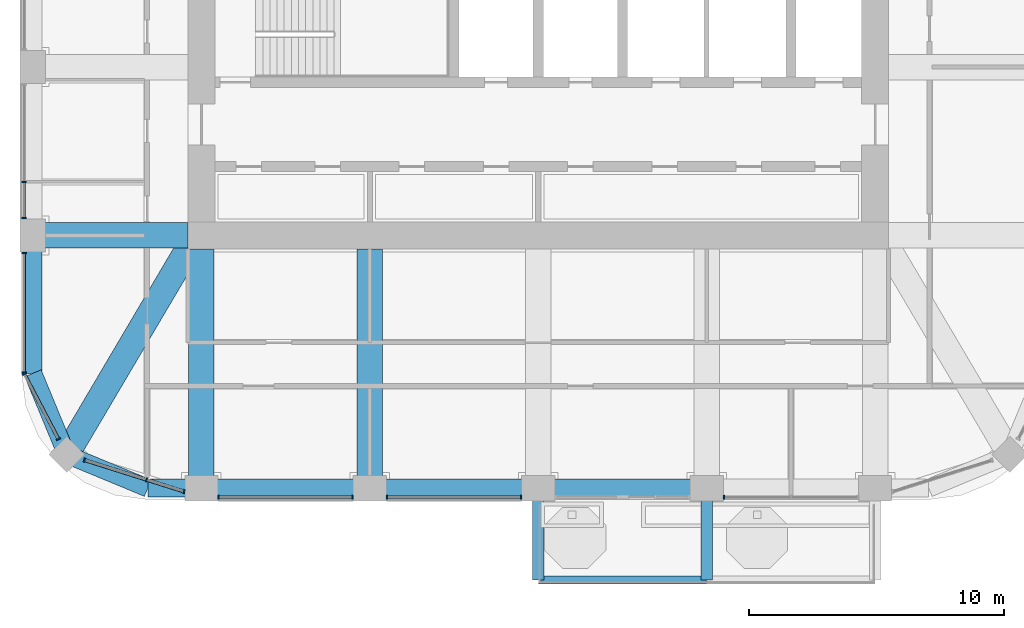
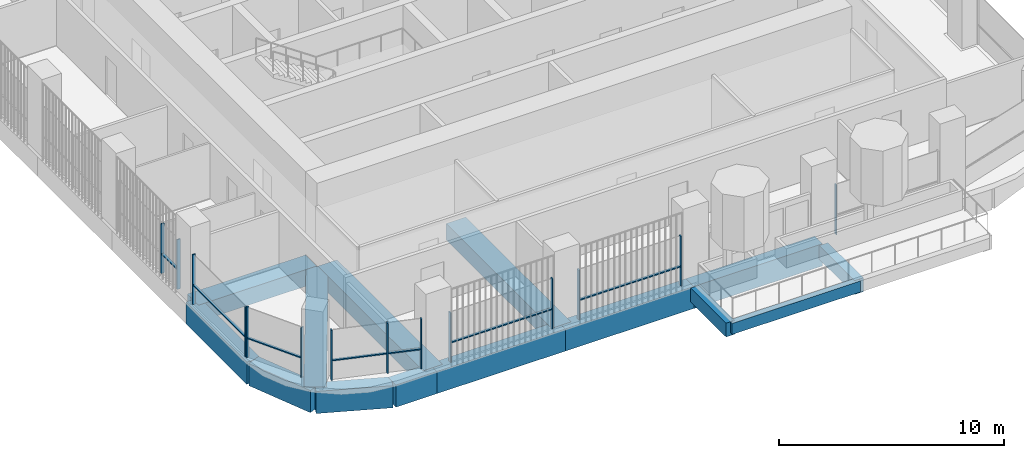
# One storey, part 2 of 21: 21 members, 14 beams, 7 elements without a shape of their own.
"""IFC4 building model written with IfcOpenShell, lengths in metres."""

from ifc_helpers import new_model, si_unit, direction, frame, origin, origin_2d, place, context, subcontext, project, spatial, rectangle, extrude, material, material_profile, profile_set, type_object, element, aggregate, save


model = new_model("IFC4")

# Units and contexts
model_context = context("Model", 3, precision=1e-05, world=origin(), true_north=direction((0.0, 1.0)))
body_context = subcontext(model_context, "Body", "Model", "MODEL_VIEW")
ifc_project = project(units=[si_unit("LENGTHUNIT", "METRE"), si_unit("AREAUNIT", "SQUARE_METRE"), si_unit("VOLUMEUNIT", "CUBIC_METRE"), si_unit("PLANEANGLEUNIT", "RADIAN"), si_unit("MASSUNIT", "GRAM", prefix="KILO")], contexts=[model_context])

# Site, building, storey
site_placement = place(None, origin())
site = spatial("IfcSite", under=ifc_project, at=site_placement, CompositionType="ELEMENT")
building_placement = place(site_placement, origin())
building = spatial("IfcBuilding", under=site, at=building_placement, Name="Cobogo Forest Laboratory Tower", CompositionType="ELEMENT")
storey_placement = place(building_placement, frame((0.0, 0.0, 241.800048828125)))
storey = spatial("IfcBuildingStorey", under=building, at=storey_placement, Name="L55", CompositionType="ELEMENT", Elevation=241.800048828125)

# Beams
ifc_material_1 = material(Name="Concrete HA-40 (C40/50)", Category="concrete")
ifc_material_profile_1 = material_profile(ifc_material_1, rectangle(XDim=0.449951171875, YDim=0.75, at=origin_2d()), Name="RC 450x750")
ifc_profile_set_1 = profile_set([ifc_material_profile_1], Name="Concrete HA-40 (C40/50)")
beam_type_1 = type_object("IfcBeamType", Name="Balcony cantilever beam 450x750", PredefinedType="BEAM", material=ifc_profile_set_1)
for number, where, z_axis, x_axis, name in (
    (1, (26.39990234375, 2.85009765625, -0.625), (0.0, -1.0, 0.0), (1.0, 0.0, 0.0), "CB1 BAL-S1-C1 L55"),
    (2, (33.0, 2.85009765625, -0.625), (0.0, -1.0, 0.0), (1.0, 0.0, 0.0), "CB1 BAL-S1-C2 L55"),
):
    element("IfcBeam", number, at=place(storey_placement, frame(where, z_axis=z_axis, x_axis=x_axis)), inside=storey, type_object=beam_type_1, Name=name, PredefinedType="BEAM", context=body_context, shape_type="SweptSolid", body=[
        extrude(rectangle(XDim=0.449951171875, YDim=0.75, at=origin_2d()), origin(), (0.0, 0.0, 1.0), 3.150146484375),
    ])
ifc_material_profile_2 = material_profile(ifc_material_1, rectangle(XDim=0.300048828125, YDim=0.60009765625, at=origin_2d()), Name="RC 300x600")
ifc_profile_set_2 = profile_set([ifc_material_profile_2], Name="Concrete HA-40 (C40/50)")
beam_type_2 = type_object("IfcBeamType", Name="Balcony edge beam 300x600", PredefinedType="BEAM", material=ifc_profile_set_2)
beam_1_placement = place(storey_placement, frame((26.39990234375, -0.300048828125, -0.550048828125), z_axis=(1.0, 0.0, 0.0), x_axis=(0.0, 1.0, 0.0)))
element("IfcBeam", 3, at=beam_1_placement, inside=storey, type_object=beam_type_2, Name="BB1 BAL-S1-T1 L55", PredefinedType="BEAM", context=body_context, shape_type="SweptSolid", body=[
    extrude(rectangle(XDim=0.300048828125, YDim=0.60009765625, at=origin_2d()), origin(), (0.0, 0.0, 1.0), 6.60009765625),
])

# Curtain wall, members
ifc_material_2 = material(Name="Aluminium curtain wall", Category="aluminium")
curtain_wall_type = type_object("IfcCurtainWallType", Name="CW-2 unitised curtain wall, solar control glazing, laboratory floors zones C and D", PredefinedType="USERDEFINED", material=ifc_material_2)
curtain_wall_1_placement = place(storey_placement, origin())
curtain_wall_1 = element("IfcCurtainWall", 4, at=curtain_wall_1_placement, inside=storey, type_object=curtain_wall_type, Name="Curtain wall 01 L55", ObjectType="UNITISED CURTAIN WALL", PredefinedType="USERDEFINED")
ifc_material_3 = material(Name="Aluminium mullion", Category="aluminium")
ifc_material_profile_3 = material_profile(ifc_material_3, rectangle(XDim=0.06005859375, YDim=0.159912109375, at=origin_2d()), Name="AL 60x160")
ifc_profile_set_3 = profile_set([ifc_material_profile_3], Name="Aluminium mullion")
member_type_1 = type_object("IfcMemberType", Name="MU-1 aluminium mullion 60x160", PredefinedType="MULLION", material=ifc_profile_set_3)
member_1_placement = place(storey_placement, frame((13.8798828125, 2.949951171875, 0.0), z_axis=(0.0, 0.0, 1.0), x_axis=(1.0, 0.0, 0.0)))
member_1 = element("IfcMember", 5, at=member_1_placement, type_object=member_type_1, Name="CW-2 mullion 1", PredefinedType="MULLION", context=body_context, shape_type="SweptSolid", body=[
    extrude(rectangle(XDim=0.06005859375, YDim=0.159912109375, at=origin_2d()), origin(), (0.0, 0.0, 1.0), 2.699951171875),
])
member_2_placement = place(storey_placement, frame((19.1201171875, 2.949951171875, 0.0), z_axis=(0.0, 0.0, 1.0), x_axis=(1.0, 0.0, 0.0)))
member_2 = element("IfcMember", 6, at=member_2_placement, type_object=member_type_1, Name="CW-2 mullion 2", PredefinedType="MULLION", context=body_context, shape_type="SweptSolid", body=[
    extrude(rectangle(XDim=0.06005859375, YDim=0.159912109375, at=origin_2d()), origin(), (0.0, 0.0, 1.0), 2.699951171875),
])

curtain_wall_2_placement = place(storey_placement, origin())
curtain_wall_2 = element("IfcCurtainWall", 7, at=curtain_wall_2_placement, inside=storey, type_object=curtain_wall_type, Name="Curtain wall 02 L55", ObjectType="UNITISED CURTAIN WALL", PredefinedType="USERDEFINED")
member_3_placement = place(storey_placement, frame((20.47998046875, 2.949951171875, 0.0), z_axis=(0.0, 0.0, 1.0), x_axis=(1.0, 0.0, 0.0)))
member_3 = element("IfcMember", 8, at=member_3_placement, type_object=member_type_1, Name="CW-2 mullion 1", PredefinedType="MULLION", context=body_context, shape_type="SweptSolid", body=[
    extrude(rectangle(XDim=0.06005859375, YDim=0.159912109375, at=origin_2d()), origin(), (0.0, 0.0, 1.0), 2.699951171875),
])
member_4_placement = place(storey_placement, frame((25.719970703125, 2.949951171875, 0.0), z_axis=(0.0, 0.0, 1.0), x_axis=(1.0, 0.0, 0.0)))
member_4 = element("IfcMember", 9, at=member_4_placement, type_object=member_type_1, Name="CW-2 mullion 2", PredefinedType="MULLION", context=body_context, shape_type="SweptSolid", body=[
    extrude(rectangle(XDim=0.06005859375, YDim=0.159912109375, at=origin_2d()), origin(), (0.0, 0.0, 1.0), 2.699951171875),
])

# Curtain wall, member
curtain_wall_3_placement = place(storey_placement, origin())
curtain_wall_3 = element("IfcCurtainWall", 10, at=curtain_wall_3_placement, inside=storey, type_object=curtain_wall_type, Name="Curtain wall 04 L55", ObjectType="UNITISED CURTAIN WALL", PredefinedType="USERDEFINED")
member_5_placement = place(storey_placement, frame((33.679931640625, 2.949951171875, 0.0), z_axis=(0.0, 0.0, 1.0), x_axis=(1.0, 0.0, 0.0)))
member_5 = element("IfcMember", 11, at=member_5_placement, type_object=member_type_1, Name="CW-2 mullion 1", PredefinedType="MULLION", context=body_context, shape_type="SweptSolid", body=[
    extrude(rectangle(XDim=0.06005859375, YDim=0.159912109375, at=origin_2d()), origin(), (0.0, 0.0, 1.0), 2.699951171875),
])
aggregate(curtain_wall_3, [member_5])

# Curtain wall, members
curtain_wall_4_placement = place(storey_placement, origin())
curtain_wall_4 = element("IfcCurtainWall", 12, at=curtain_wall_4_placement, inside=storey, type_object=curtain_wall_type, Name="Curtain wall 23 L55", ObjectType="UNITISED CURTAIN WALL", PredefinedType="USERDEFINED")
member_6_placement = place(storey_placement, frame((6.25, 15.300048828125, 0.0), z_axis=(0.0, 0.0, 1.0), x_axis=(0.0, -1.0, 0.0)))
member_6 = element("IfcMember", 13, at=member_6_placement, type_object=member_type_1, Name="CW-2 mullion 2", PredefinedType="MULLION", context=body_context, shape_type="SweptSolid", body=[
    extrude(rectangle(XDim=0.06005859375, YDim=0.159912109375, at=origin_2d()), origin(), (0.0, 0.0, 1.0), 2.699951171875),
])
member_7_placement = place(storey_placement, frame((6.25, 13.8798828125, 0.0), z_axis=(0.0, 0.0, 1.0), x_axis=(0.0, -1.0, 0.0)))
member_7 = element("IfcMember", 14, at=member_7_placement, type_object=member_type_1, Name="CW-2 mullion 3", PredefinedType="MULLION", context=body_context, shape_type="SweptSolid", body=[
    extrude(rectangle(XDim=0.06005859375, YDim=0.159912109375, at=origin_2d()), origin(), (0.0, 0.0, 1.0), 2.699951171875),
])

curtain_wall_5_placement = place(storey_placement, origin())
curtain_wall_5 = element("IfcCurtainWall", 15, at=curtain_wall_5_placement, inside=storey, type_object=curtain_wall_type, Name="Curtain wall 24 L55", ObjectType="UNITISED CURTAIN WALL", PredefinedType="USERDEFINED")
member_8_placement = place(storey_placement, frame((6.25, 12.52001953125, 0.0), z_axis=(0.0, 0.0, 1.0), x_axis=(0.0, -1.0, 0.0)))
member_8 = element("IfcMember", 16, at=member_8_placement, type_object=member_type_1, Name="CW-2 mullion 1", PredefinedType="MULLION", context=body_context, shape_type="SweptSolid", body=[
    extrude(rectangle(XDim=0.06005859375, YDim=0.159912109375, at=origin_2d()), origin(), (0.0, 0.0, 1.0), 2.699951171875),
])
member_9_placement = place(storey_placement, frame((6.25, 7.830078125, 0.0), z_axis=(0.0, 0.0, 1.0), x_axis=(0.0, -1.0, 0.0)))
member_9 = element("IfcMember", 17, at=member_9_placement, type_object=member_type_1, Name="CW-2 mullion 2", PredefinedType="MULLION", context=body_context, shape_type="SweptSolid", body=[
    extrude(rectangle(XDim=0.06005859375, YDim=0.159912109375, at=origin_2d()), origin(), (0.0, 0.0, 1.0), 2.699951171875),
])

curtain_wall_6_placement = place(storey_placement, origin())
curtain_wall_6 = element("IfcCurtainWall", 18, at=curtain_wall_6_placement, inside=storey, type_object=curtain_wall_type, Name="Curtain wall 25 L55", ObjectType="UNITISED CURTAIN WALL", PredefinedType="USERDEFINED")
member_10_placement = place(storey_placement, frame((6.263916015625, 7.7734375, 0.0), z_axis=(0.0, 0.0, 1.0), x_axis=(0.464283791352, -0.885686491422, 0.0)))
member_10 = element("IfcMember", 19, at=member_10_placement, type_object=member_type_1, Name="CW-2 mullion 1", PredefinedType="MULLION", context=body_context, shape_type="SweptSolid", body=[
    extrude(rectangle(XDim=0.06005859375, YDim=0.159912109375, at=origin_2d()), origin(), (0.0, 0.0, 1.0), 2.699951171875),
])
member_11_placement = place(storey_placement, frame((7.59765625, 5.229248046875, 0.0), z_axis=(0.0, 0.0, 1.0), x_axis=(0.464283791352, -0.885686491422, 0.0)))
member_11 = element("IfcMember", 20, at=member_11_placement, type_object=member_type_1, Name="CW-2 mullion 2", PredefinedType="MULLION", context=body_context, shape_type="SweptSolid", body=[
    extrude(rectangle(XDim=0.06005859375, YDim=0.159912109375, at=origin_2d()), origin(), (0.0, 0.0, 1.0), 2.699951171875),
])

curtain_wall_7_placement = place(storey_placement, origin())
curtain_wall_7 = element("IfcCurtainWall", 21, at=curtain_wall_7_placement, inside=storey, type_object=curtain_wall_type, Name="Curtain wall 26 L55", ObjectType="UNITISED CURTAIN WALL", PredefinedType="USERDEFINED")
member_12_placement = place(storey_placement, frame((8.623779296875, 4.395263671875, 0.0), z_axis=(0.0, 0.0, 1.0), x_axis=(0.953581386052, -0.301135418334, 0.0)))
member_12 = element("IfcMember", 22, at=member_12_placement, type_object=member_type_1, Name="CW-2 mullion 1", PredefinedType="MULLION", context=body_context, shape_type="SweptSolid", body=[
    extrude(rectangle(XDim=0.06005859375, YDim=0.159912109375, at=origin_2d()), origin(), (0.0, 0.0, 1.0), 2.699951171875),
])
member_13_placement = place(storey_placement, frame((11.051025390625, 3.628662109375, 0.0), z_axis=(0.0, 0.0, 1.0), x_axis=(0.953581386052, -0.301135418334, 0.0)))
member_13 = element("IfcMember", 23, at=member_13_placement, type_object=member_type_1, Name="CW-2 mullion 2", PredefinedType="MULLION", context=body_context, shape_type="SweptSolid", body=[
    extrude(rectangle(XDim=0.06005859375, YDim=0.159912109375, at=origin_2d()), origin(), (0.0, 0.0, 1.0), 2.699951171875),
])
member_14_placement = place(storey_placement, frame((12.521484375, 3.164306640625, 0.0), z_axis=(0.0, 0.0, 1.0), x_axis=(0.953581386052, -0.301135418334, 0.0)))
member_14 = element("IfcMember", 24, at=member_14_placement, type_object=member_type_1, Name="CW-2 mullion 3", PredefinedType="MULLION", context=body_context, shape_type="SweptSolid", body=[
    extrude(rectangle(XDim=0.06005859375, YDim=0.159912109375, at=origin_2d()), origin(), (0.0, 0.0, 1.0), 2.699951171875),
])

# Beams
ifc_material_profile_4 = material_profile(ifc_material_1, rectangle(XDim=1.0, YDim=0.89990234375, at=origin_2d()), Name="RC 1000x900")
ifc_profile_set_4 = profile_set([ifc_material_profile_4], Name="Concrete HA-40 (C40/50)")
beam_type_3 = type_object("IfcBeamType", Name="Office floor wide beam 1000x900", PredefinedType="BEAM", material=ifc_profile_set_4)
for number, where, z_axis, x_axis, name in (
    (25, (13.199951171875, 12.675048828125, -0.75), (0.0, -1.0, 0.0), (1.0, 0.0, 0.0), "RB2 R-3-S L55"),
    (26, (19.800048828125, 12.675048828125, -0.75), (0.0, -1.0, 0.0), (1.0, 0.0, 0.0), "RB2 R-4-S L55"),
):
    element("IfcBeam", number, at=place(storey_placement, frame(where, z_axis=z_axis, x_axis=x_axis)), inside=storey, type_object=beam_type_3, Name=name, PredefinedType="BEAM", context=body_context, shape_type="SweptSolid", body=[
        extrude(rectangle(XDim=1.0, YDim=0.89990234375, at=origin_2d()), origin(), (0.0, 0.0, 1.0), 9.375),
    ])
beam_2_placement = place(storey_placement, frame((12.675048828125, 13.199951171875, -0.75), z_axis=(-1.0, 0.0, 0.0), x_axis=(0.0, -1.0, 0.0)))
element("IfcBeam", 27, at=beam_2_placement, inside=storey, type_object=beam_type_3, Name="RB2 R-C-W L55", PredefinedType="BEAM", context=body_context, shape_type="SweptSolid", body=[
    extrude(rectangle(XDim=1.0, YDim=0.89990234375, at=origin_2d()), origin(), (0.0, 0.0, 1.0), 6.074951171875),
])
beam_3_placement = place(storey_placement, frame((7.91796875, 4.617919921875, -0.75), z_axis=(0.508416325908, 0.861111397875, 0.0), x_axis=(-0.861111397875, 0.508416325908, 0.0)))
element("IfcBeam", 28, at=beam_3_placement, inside=storey, type_object=beam_type_3, Name="RB2 G-SW-D1 L55", PredefinedType="BEAM", context=body_context, shape_type="SweptSolid", body=[
    extrude(rectangle(XDim=1.0, YDim=0.89990234375, at=origin_2d()), origin(), (0.0, 0.0, 1.0), 9.356689453125),
])
ifc_material_profile_5 = material_profile(ifc_material_1, rectangle(XDim=0.699951171875, YDim=1.199951171875, at=origin_2d()), Name="RC 700x1200")
ifc_profile_set_5 = profile_set([ifc_material_profile_5], Name="Concrete HA-40 (C40/50)")
beam_type_4 = type_object("IfcBeamType", Name="Perimeter edge beam 700x1200", PredefinedType="BEAM", material=ifc_profile_set_5)
beam_4_placement = place(storey_placement, frame((13.199951171875, 3.300048828125, -0.900146484375), z_axis=(1.0, 0.0, 0.0), x_axis=(0.0, 1.0, 0.0)))
element("IfcBeam", 29, at=beam_4_placement, inside=storey, type_object=beam_type_4, Name="EB1 E-S1 L55", PredefinedType="BEAM", context=body_context, shape_type="SweptSolid", body=[
    extrude(rectangle(XDim=0.699951171875, YDim=1.199951171875, at=origin_2d()), origin(), (0.0, 0.0, 1.0), 6.60009765625),
])
beam_5_placement = place(storey_placement, frame((19.800048828125, 3.300048828125, -0.900146484375), z_axis=(1.0, 0.0, 0.0), x_axis=(0.0, 1.0, 0.0)))
element("IfcBeam", 30, at=beam_5_placement, inside=storey, type_object=beam_type_4, Name="EB1 E-S2 L55", PredefinedType="BEAM", context=body_context, shape_type="SweptSolid", body=[
    extrude(rectangle(XDim=0.699951171875, YDim=1.199951171875, at=origin_2d()), origin(), (0.0, 0.0, 1.0), 6.599853515625),
])
beam_6_placement = place(storey_placement, frame((26.39990234375, 3.300048828125, -0.900146484375), z_axis=(1.0, 0.0, 0.0), x_axis=(0.0, 1.0, 0.0)))
element("IfcBeam", 31, at=beam_6_placement, inside=storey, type_object=beam_type_4, Name="EB1 E-S3 L55", PredefinedType="BEAM", context=body_context, shape_type="SweptSolid", body=[
    extrude(rectangle(XDim=0.699951171875, YDim=1.199951171875, at=origin_2d()), origin(), (0.0, 0.0, 1.0), 6.60009765625),
])
beam_7_placement = place(storey_placement, frame((13.199951171875, 3.300048828125, -0.900146484375), z_axis=(-1.0, 0.0, 0.0), x_axis=(0.0, -1.0, 0.0)))
element("IfcBeam", 32, at=beam_7_placement, inside=storey, type_object=beam_type_4, Name="EB1 E-SWS1 L55", PredefinedType="BEAM", context=body_context, shape_type="SweptSolid", body=[
    extrude(rectangle(XDim=0.699951171875, YDim=1.199951171875, at=origin_2d()), origin(), (0.0, 0.0, 1.0), 2.099853515625),
])
beam_8_placement = place(storey_placement, frame((11.10009765625, 3.300048828125, -0.900146484375), z_axis=(-0.923901072997, 0.382631424892, 0.0), x_axis=(-0.382631424892, -0.923901072997, 0.0)))
element("IfcBeam", 33, at=beam_8_placement, inside=storey, type_object=beam_type_4, Name="EB1 E-SWS2 L55", PredefinedType="BEAM", context=body_context, shape_type="SweptSolid", body=[
    extrude(rectangle(XDim=0.699951171875, YDim=1.199951171875, at=origin_2d()), origin(), (0.0, 0.0, 1.0), 3.4443359375),
])
beam_9_placement = place(storey_placement, frame((6.60009765625, 13.199951171875, -0.900146484375), z_axis=(0.0, -1.0, 0.0), x_axis=(1.0, 0.0, 0.0)))
element("IfcBeam", 34, at=beam_9_placement, inside=storey, type_object=beam_type_4, Name="EB1 E-SWW1 L55", PredefinedType="BEAM", context=body_context, shape_type="SweptSolid", body=[
    extrude(rectangle(XDim=0.699951171875, YDim=1.199951171875, at=origin_2d()), origin(), (0.0, 0.0, 1.0), 5.39990234375),
])
beam_10_placement = place(storey_placement, frame((6.60009765625, 7.800048828125, -0.900146484375), z_axis=(0.382631424892, -0.923901072997, 0.0), x_axis=(0.923901072997, 0.382631424892, 0.0)))
element("IfcBeam", 35, at=beam_10_placement, inside=storey, type_object=beam_type_4, Name="EB1 E-SWW2 L55", PredefinedType="BEAM", context=body_context, shape_type="SweptSolid", body=[
    extrude(rectangle(XDim=0.699951171875, YDim=1.199951171875, at=origin_2d()), origin(), (0.0, 0.0, 1.0), 3.4443359375),
])

# Member
ifc_material_4 = material(Name="Aluminium transom", Category="aluminium")
ifc_material_profile_6 = material_profile(ifc_material_4, rectangle(XDim=0.1201171875, YDim=0.06005859375, at=origin_2d()), Name="AL 60x120")
ifc_profile_set_6 = profile_set([ifc_material_profile_6], Name="Aluminium transom")
member_type_2 = type_object("IfcMemberType", Name="TR-1 aluminium transom 60x120", PredefinedType="USERDEFINED", material=ifc_profile_set_6)
member_15_placement = place(storey_placement, frame((13.909912109375, 2.949951171875, 1.050048828125), z_axis=(1.0, 0.0, 0.0), x_axis=(0.0, 1.0, 0.0)))
member_15 = element("IfcMember", 36, at=member_15_placement, type_object=member_type_2, Name="CW-2 transom 1.1", ObjectType="TRANSOM", PredefinedType="USERDEFINED", context=body_context, shape_type="SweptSolid", body=[
    extrude(rectangle(XDim=0.1201171875, YDim=0.06005859375, at=origin_2d()), origin(), (0.0, 0.0, 1.0), 5.18017578125),
])

aggregate(curtain_wall_1, [member_1, member_2, member_15])

member_16_placement = place(storey_placement, frame((20.510009765625, 2.949951171875, 1.050048828125), z_axis=(1.0, 0.0, 0.0), x_axis=(0.0, 1.0, 0.0)))
member_16 = element("IfcMember", 37, at=member_16_placement, type_object=member_type_2, Name="CW-2 transom 1.1", ObjectType="TRANSOM", PredefinedType="USERDEFINED", context=body_context, shape_type="SweptSolid", body=[
    extrude(rectangle(XDim=0.1201171875, YDim=0.06005859375, at=origin_2d()), origin(), (0.0, 0.0, 1.0), 5.179931640625),
])

aggregate(curtain_wall_2, [member_3, member_4, member_16])

member_17_placement = place(storey_placement, frame((6.25, 15.27001953125, 1.050048828125), z_axis=(0.0, -1.0, 0.0), x_axis=(1.0, 0.0, 0.0)))
member_17 = element("IfcMember", 38, at=member_17_placement, type_object=member_type_2, Name="CW-2 transom 2.1", ObjectType="TRANSOM", PredefinedType="USERDEFINED", context=body_context, shape_type="SweptSolid", body=[
    extrude(rectangle(XDim=0.1201171875, YDim=0.06005859375, at=origin_2d()), origin(), (0.0, 0.0, 1.0), 1.360107421875),
])

aggregate(curtain_wall_4, [member_6, member_7, member_17])

member_18_placement = place(storey_placement, frame((6.25, 12.489990234375, 1.050048828125), z_axis=(0.0, -1.0, 0.0), x_axis=(1.0, 0.0, 0.0)))
member_18 = element("IfcMember", 39, at=member_18_placement, type_object=member_type_2, Name="CW-2 transom 1.1", ObjectType="TRANSOM", PredefinedType="USERDEFINED", context=body_context, shape_type="SweptSolid", body=[
    extrude(rectangle(XDim=0.1201171875, YDim=0.06005859375, at=origin_2d()), origin(), (0.0, 0.0, 1.0), 4.6298828125),
])

aggregate(curtain_wall_5, [member_8, member_9, member_18])

member_19_placement = place(storey_placement, frame((6.27783203125, 7.746826171875, 1.050048828125), z_axis=(0.464282656331, -0.885687086408, 0.0), x_axis=(0.885687086408, 0.464282656331, 0.0)))
member_19 = element("IfcMember", 40, at=member_19_placement, type_object=member_type_2, Name="CW-2 transom 1.1", ObjectType="TRANSOM", PredefinedType="USERDEFINED", context=body_context, shape_type="SweptSolid", body=[
    extrude(rectangle(XDim=0.1201171875, YDim=0.06005859375, at=origin_2d()), origin(), (0.0, 0.0, 1.0), 2.812744140625),
])

aggregate(curtain_wall_6, [member_10, member_11, member_19])

member_20_placement = place(storey_placement, frame((8.65234375, 4.38623046875, 1.050048828125), z_axis=(0.953564847589, -0.301187784352, 0.0), x_axis=(0.301187784352, 0.953564847589, 0.0)))
member_20 = element("IfcMember", 41, at=member_20_placement, type_object=member_type_2, Name="CW-2 transom 1.1", ObjectType="TRANSOM", PredefinedType="USERDEFINED", context=body_context, shape_type="SweptSolid", body=[
    extrude(rectangle(XDim=0.1201171875, YDim=0.06005859375, at=origin_2d()), origin(), (0.0, 0.0, 1.0), 2.4853515625),
])

member_21_placement = place(storey_placement, frame((11.07958984375, 3.61962890625, 1.050048828125), z_axis=(0.953572704918, -0.301162906805, 0.0), x_axis=(0.301162906805, 0.953572704918, 0.0)))
member_21 = element("IfcMember", 42, at=member_21_placement, type_object=member_type_2, Name="CW-2 transom 2.1", ObjectType="TRANSOM", PredefinedType="USERDEFINED", context=body_context, shape_type="SweptSolid", body=[
    extrude(rectangle(XDim=0.1201171875, YDim=0.06005859375, at=origin_2d()), origin(), (0.0, 0.0, 1.0), 1.48193359375),
])

aggregate(curtain_wall_7, [member_12, member_13, member_14, member_20, member_21])

save(model, "model.ifc")
